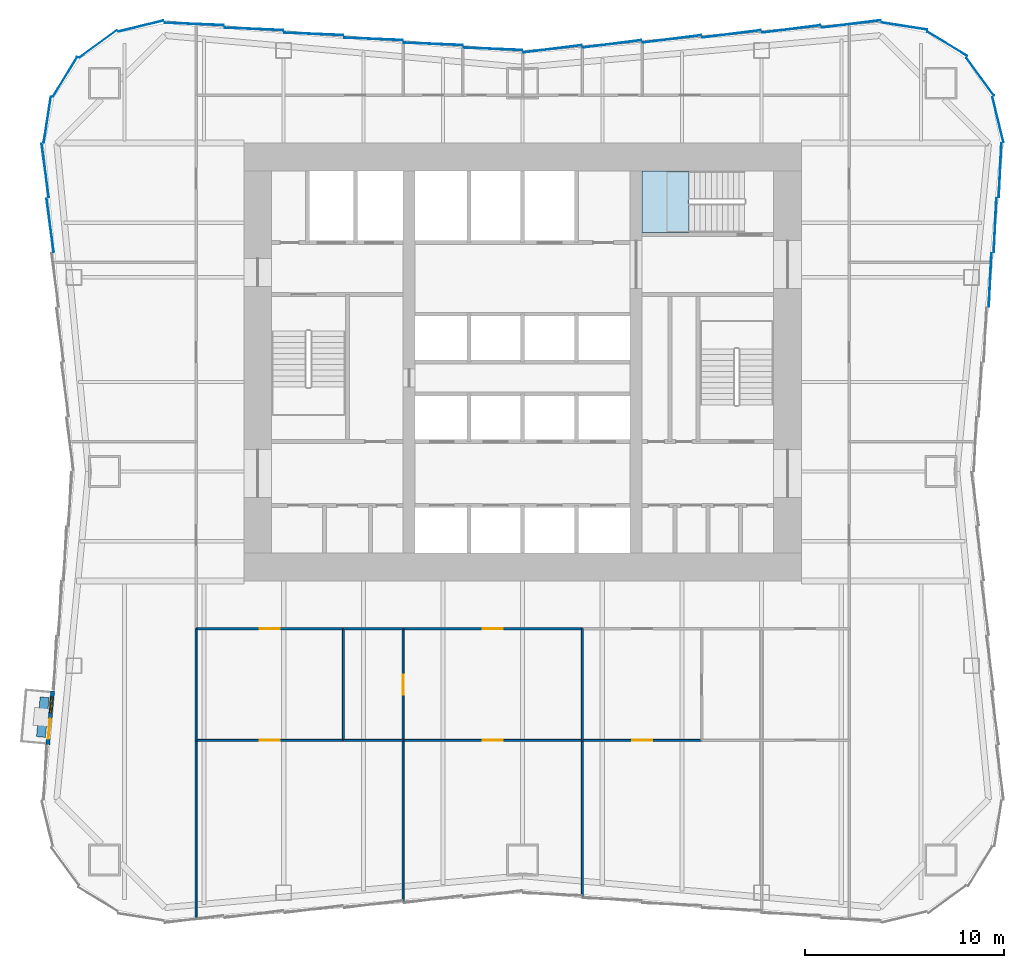
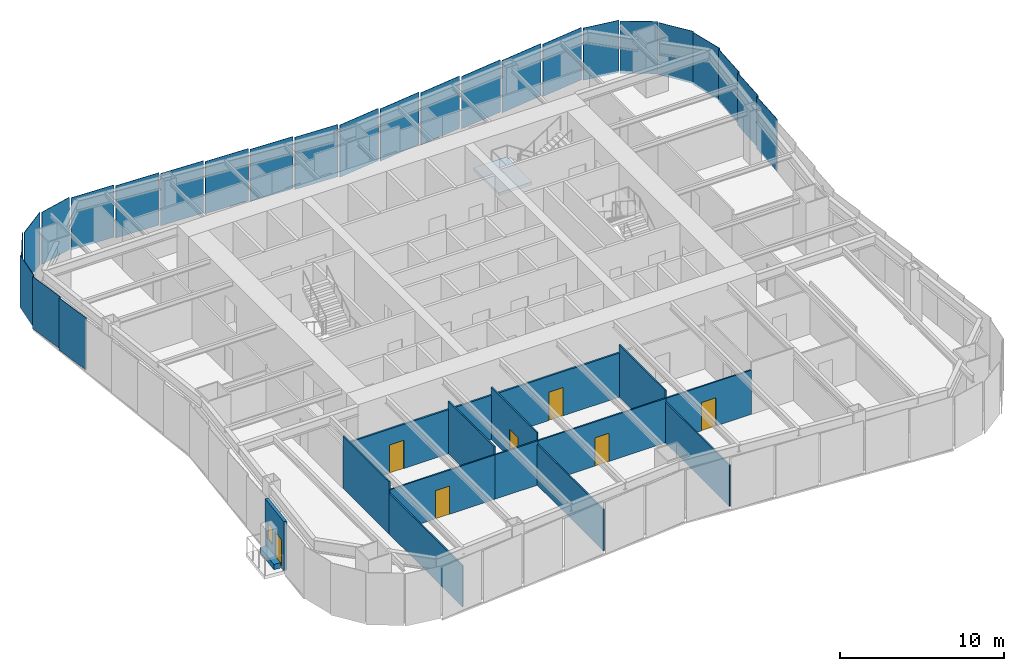
# One storey, part 3 of 8: 25 plates, 16 walls, 7 doors, 1 slab, 1 window, 8 openings, 6 elements without a shape of their own.
"""IFC4 building model written with IfcOpenShell, lengths in metres."""

from ifc_helpers import new_model, si_unit, direction, frame, frame_2d, origin, origin_2d, place, context, subcontext, project, spatial, polyline, rectangle, outline, extrude, material, layer, layer_set, type_object, element, fill, aggregate, save


model = new_model("IFC4")

# Units and contexts
model_context = context("Model", 3, precision=1e-05, world=origin(), true_north=direction((0.0, 1.0)))
body_context = subcontext(model_context, "Body", "Model", "MODEL_VIEW")
ifc_project = project(units=[si_unit("LENGTHUNIT", "METRE"), si_unit("AREAUNIT", "SQUARE_METRE"), si_unit("VOLUMEUNIT", "CUBIC_METRE"), si_unit("PLANEANGLEUNIT", "RADIAN"), si_unit("MASSUNIT", "GRAM", prefix="KILO")], contexts=[model_context])

# Site, building, storey
site_placement = place(None, origin())
site = spatial("IfcSite", under=ifc_project, at=site_placement, CompositionType="ELEMENT")
building_placement = place(site_placement, origin())
building = spatial("IfcBuilding", under=site, at=building_placement, Name="Verdant Reach Tower", CompositionType="ELEMENT")
storey_placement = place(building_placement, frame((0.0, 0.0, 46.0)))
storey = spatial("IfcBuildingStorey", under=building, at=storey_placement, Name="L10", CompositionType="ELEMENT", Elevation=46.0)

# Stair, slab
ifc_material_1 = material(Name="Concrete C40/50", Category="concrete")
stair_type = type_object("IfcStairType", Name="CO-STAIR", PredefinedType="HALF_TURN_STAIR", material=ifc_material_1)
stair_placement = place(storey_placement, origin())
stair = element("IfcStair", 1, at=stair_placement, inside=storey, type_object=stair_type, Name="L10 Exit stair 3", PredefinedType="HALF_TURN_STAIR")
ifc_layer_1 = layer(ifc_material_1, 0.199951171875)
ifc_layer_set_1 = layer_set([ifc_layer_1], Name="CO-STAIR-LANDING")
slab_type = type_object("IfcSlabType", Name="CO-STAIR-LANDING", PredefinedType="LANDING", material=ifc_layer_set_1)
slab_placement = place(storey_placement, frame((0.0, 0.0, 1.800048828125)))
slab = element("IfcSlab", 2, at=slab_placement, type_object=slab_type, Name="ST-3 landing 1", PredefinedType="LANDING", context=body_context, shape_type="SweptSolid", body=[
    extrude(outline(polyline([(8.35009765625, 37.60009765625), (6.0, 37.60009765625), (6.0, 34.5), (8.35009765625, 34.5), (8.35009765625, 37.60009765625)])), origin(), (0.0, 0.0, 1.0), 0.199951171875),
])
aggregate(stair, [slab])

# Curtain wall, plate
ifc_material_2 = material(Name="Anodised aluminium", Category="aluminium")
curtain_wall_type = type_object("IfcCurtainWallType", Name="EN-CW SYSTEM Z0", PredefinedType="NOTDEFINED", material=ifc_material_2)
curtain_wall_1_placement = place(storey_placement, origin())
curtain_wall_1 = element("IfcCurtainWall", 3, at=curtain_wall_1_placement, inside=storey, type_object=curtain_wall_type, Name="Curtain wall north-east corner, L10", PredefinedType="NOTDEFINED")
ifc_material_3 = material(Name="Tinted glass with champagne spandrel", Category="glass")
ifc_layer_2 = layer(ifc_material_3, 0.031982421875)
ifc_layer_set_2 = layer_set([ifc_layer_2], Name="EN-PANEL CHAMPAGNE")
plate_type_1 = type_object("IfcPlateType", Name="EN-PANEL CHAMPAGNE", PredefinedType="CURTAIN_PANEL", material=ifc_layer_set_2)
plate_1_placement = place(storey_placement, frame((23.86767578125, 40.169921875, -0.22998046875), z_axis=(0.0, 0.0, 1.0), x_axis=(-0.236346786246, 0.97166876899, 0.0)))
plate_1 = element("IfcPlate", 4, at=plate_1_placement, type_object=plate_type_1, Name="Glass panel north-east corner 1.1, L10", PredefinedType="CURTAIN_PANEL", context=body_context, shape_type="SweptSolid", body=[
    extrude(rectangle(XDim=2.31884765625, YDim=0.031982421875, at=origin_2d()), origin(), (0.0, 0.0, 1.0), 3.8798828125),
])

# Curtain wall, plates
curtain_wall_2_placement = place(storey_placement, origin())
curtain_wall_2 = element("IfcCurtainWall", 5, at=curtain_wall_2_placement, inside=storey, type_object=curtain_wall_type, Name="Curtain wall north, L10", PredefinedType="NOTDEFINED")
plate_2_placement = place(storey_placement, frame((4.49169921875, 43.974609375, -0.22998046875), z_axis=(0.0, 0.0, 1.0), x_axis=(-0.992194034542, -0.124703639961, 0.0)))
plate_2 = element("IfcPlate", 6, at=plate_2_placement, type_object=plate_type_1, Name="Glass panel north face part 1 5.1, L10", PredefinedType="CURTAIN_PANEL", context=body_context, shape_type="SweptSolid", body=[
    extrude(rectangle(XDim=2.954345703125, YDim=0.031982421875, at=origin_2d()), origin(), (0.0, 0.0, 1.0), 3.8798828125),
])
plate_3_placement = place(storey_placement, frame((1.495849609375, 43.724853515625, -0.22998046875), z_axis=(0.0, 0.0, 1.0), x_axis=(-0.992179679439, -0.124817802047, 0.0)))
plate_3 = element("IfcPlate", 7, at=plate_3_placement, type_object=plate_type_1, Name="Glass panel north face part 1 6.1, L10", PredefinedType="CURTAIN_PANEL", context=body_context, shape_type="SweptSolid", body=[
    extrude(rectangle(XDim=2.946044921875, YDim=0.031982421875, at=origin_2d()), origin(), (0.0, 0.0, 1.0), 3.8798828125),
])
plate_4_placement = place(storey_placement, frame((-1.495849609375, 43.724853515625, -0.22998046875), z_axis=(0.0, 0.0, 1.0), x_axis=(-0.999144450138, 0.041356592674, 0.0)))
plate_4 = element("IfcPlate", 8, at=plate_4_placement, type_object=plate_type_1, Name="Glass panel north face part 2 1.1, L10", PredefinedType="CURTAIN_PANEL", context=body_context, shape_type="SweptSolid", body=[
    extrude(rectangle(XDim=2.946044921875, YDim=0.031982421875, at=origin_2d()), origin(), (0.0, 0.0, 1.0), 3.8798828125),
])

curtain_wall_3_placement = place(storey_placement, origin())
curtain_wall_3 = element("IfcCurtainWall", 9, at=curtain_wall_3_placement, inside=storey, type_object=curtain_wall_type, Name="Curtain wall east, L10", PredefinedType="NOTDEFINED")
ifc_material_4 = material(Name="Tinted glass with copper spandrel", Category="glass")
ifc_layer_3 = layer(ifc_material_4, 0.031982421875)
ifc_layer_set_3 = layer_set([ifc_layer_3], Name="EN-PANEL COPPER")
plate_type_2 = type_object("IfcPlateType", Name="EN-PANEL COPPER", PredefinedType="CURTAIN_PANEL", material=ifc_layer_set_3)
plate_5_placement = place(storey_placement, frame((23.474609375, 32.115966796875, -0.22998046875), z_axis=(0.0, 0.0, 1.0), x_axis=(0.04875265175, 0.998810882473, 0.0)))
plate_5 = element("IfcPlate", 10, at=plate_5_placement, type_object=plate_type_2, Name="Glass panel east face part 2 4.1, L10", PredefinedType="CURTAIN_PANEL", context=body_context, shape_type="SweptSolid", body=[
    extrude(rectangle(XDim=2.705322265625, YDim=0.031982421875, at=origin_2d()), origin(), (0.0, 0.0, 1.0), 3.8798828125),
])
plate_6_placement = place(storey_placement, frame((23.724609375, 34.865966796875, -0.22998046875), z_axis=(0.0, 0.0, 1.0), x_axis=(0.04875265175, 0.998810882473, 0.0)))
plate_6 = element("IfcPlate", 11, at=plate_6_placement, type_object=plate_type_2, Name="Glass panel east face part 2 5.1, L10", PredefinedType="CURTAIN_PANEL", context=body_context, shape_type="SweptSolid", body=[
    extrude(rectangle(XDim=2.705322265625, YDim=0.031982421875, at=origin_2d()), origin(), (0.0, 0.0, 1.0), 3.8798828125),
])

# Plate
plate_7_placement = place(storey_placement, frame((22.974609375, 42.32373046875, -0.22998046875), z_axis=(0.0, 0.0, 1.0), x_axis=(-0.589926778461, 0.807456745624, 0.0)))
plate_7 = element("IfcPlate", 12, at=plate_7_placement, type_object=plate_type_2, Name="Glass panel north-east corner 2.1, L10", PredefinedType="CURTAIN_PANEL", context=body_context, shape_type="SweptSolid", body=[
    extrude(rectangle(XDim=2.32421875, YDim=0.031982421875, at=origin_2d()), origin(), (0.0, 0.0, 1.0), 3.8798828125),
])

plate_8_placement = place(storey_placement, frame((21.32373046875, 43.974609375, -0.22998046875), z_axis=(0.0, 0.0, 1.0), x_axis=(-0.853988681713, 0.520291583159, 0.0)))
plate_8 = element("IfcPlate", 13, at=plate_8_placement, type_object=plate_type_2, Name="Glass panel north-east corner 3.1, L10", PredefinedType="CURTAIN_PANEL", context=body_context, shape_type="SweptSolid", body=[
    extrude(rectangle(XDim=2.32421875, YDim=0.031982421875, at=origin_2d()), origin(), (0.0, 0.0, 1.0), 3.8798828125),
])

plate_9_placement = place(storey_placement, frame((19.169921875, 44.86767578125, -0.22998046875), z_axis=(0.0, 0.0, 1.0), x_axis=(-0.98803452381, 0.154232875093, 0.0)))
plate_9 = element("IfcPlate", 14, at=plate_9_placement, type_object=plate_type_2, Name="Glass panel north-east corner 4.1, L10", PredefinedType="CURTAIN_PANEL", context=body_context, shape_type="SweptSolid", body=[
    extrude(rectangle(XDim=2.318603515625, YDim=0.031982421875, at=origin_2d()), origin(), (0.0, 0.0, 1.0), 3.8798828125),
])

aggregate(curtain_wall_1, [plate_1, plate_7, plate_8, plate_9])

plate_10_placement = place(storey_placement, frame((16.498779296875, 44.974853515625, -0.22998046875), z_axis=(0.0, 0.0, 1.0), x_axis=(-0.992234176789, -0.124383835008, 0.0)))
plate_10 = element("IfcPlate", 15, at=plate_10_placement, type_object=plate_type_2, Name="Glass panel north face part 1 1.1, L10", PredefinedType="CURTAIN_PANEL", context=body_context, shape_type="SweptSolid", body=[
    extrude(rectangle(XDim=2.96826171875, YDim=0.031982421875, at=origin_2d()), origin(), (0.0, 0.0, 1.0), 3.8798828125),
])

plate_11_placement = place(storey_placement, frame((13.49169921875, 44.724609375, -0.22998046875), z_axis=(0.0, 0.0, 1.0), x_axis=(-0.992194034542, -0.124703639961, 0.0)))
plate_11 = element("IfcPlate", 16, at=plate_11_placement, type_object=plate_type_2, Name="Glass panel north face part 1 2.1, L10", PredefinedType="CURTAIN_PANEL", context=body_context, shape_type="SweptSolid", body=[
    extrude(rectangle(XDim=2.954345703125, YDim=0.031982421875, at=origin_2d()), origin(), (0.0, 0.0, 1.0), 3.8798828125),
])

plate_12_placement = place(storey_placement, frame((-4.49169921875, 43.974609375, -0.22998046875), z_axis=(0.0, 0.0, 1.0), x_axis=(-0.999149202059, 0.041241629766, 0.0)))
plate_12 = element("IfcPlate", 17, at=plate_12_placement, type_object=plate_type_2, Name="Glass panel north face part 2 2.1, L10", PredefinedType="CURTAIN_PANEL", context=body_context, shape_type="SweptSolid", body=[
    extrude(rectangle(XDim=2.954345703125, YDim=0.031982421875, at=origin_2d()), origin(), (0.0, 0.0, 1.0), 3.8798828125),
])

plate_13_placement = place(storey_placement, frame((-7.49169921875, 44.224609375, -0.22998046875), z_axis=(0.0, 0.0, 1.0), x_axis=(-0.999149202059, 0.041241629766, 0.0)))
plate_13 = element("IfcPlate", 18, at=plate_13_placement, type_object=plate_type_2, Name="Glass panel north face part 2 3.1, L10", PredefinedType="CURTAIN_PANEL", context=body_context, shape_type="SweptSolid", body=[
    extrude(rectangle(XDim=2.954345703125, YDim=0.031982421875, at=origin_2d()), origin(), (0.0, 0.0, 1.0), 3.8798828125),
])

# Curtain wall, plates
curtain_wall_4_placement = place(storey_placement, origin())
curtain_wall_4 = element("IfcCurtainWall", 19, at=curtain_wall_4_placement, inside=storey, type_object=curtain_wall_type, Name="Curtain wall north-west corner, L10", PredefinedType="NOTDEFINED")
plate_14_placement = place(storey_placement, frame((-19.169921875, 44.86767578125, -0.22998046875), z_axis=(0.0, 0.0, 1.0), x_axis=(-0.97166347331, -0.236368556782, 0.0)))
plate_14 = element("IfcPlate", 20, at=plate_14_placement, type_object=plate_type_2, Name="Glass panel north-west corner 1.1, L10", PredefinedType="CURTAIN_PANEL", context=body_context, shape_type="SweptSolid", body=[
    extrude(rectangle(XDim=2.318603515625, YDim=0.031982421875, at=origin_2d()), origin(), (0.0, 0.0, 1.0), 3.8798828125),
])
plate_15_placement = place(storey_placement, frame((-21.32373046875, 43.974609375, -0.22998046875), z_axis=(0.0, 0.0, 1.0), x_axis=(-0.807456745624, -0.589926778461, 0.0)))
plate_15 = element("IfcPlate", 21, at=plate_15_placement, type_object=plate_type_2, Name="Glass panel north-west corner 2.1, L10", PredefinedType="CURTAIN_PANEL", context=body_context, shape_type="SweptSolid", body=[
    extrude(rectangle(XDim=2.32421875, YDim=0.031982421875, at=origin_2d()), origin(), (0.0, 0.0, 1.0), 3.8798828125),
])

# Plate
ifc_material_5 = material(Name="Tinted glass with dark bronze spandrel", Category="glass")
ifc_layer_4 = layer(ifc_material_5, 0.031982421875)
ifc_layer_set_4 = layer_set([ifc_layer_4], Name="EN-PANEL DARK")
plate_type_3 = type_object("IfcPlateType", Name="EN-PANEL DARK", PredefinedType="CURTAIN_PANEL", material=ifc_layer_set_4)
plate_16_placement = place(storey_placement, frame((23.974609375, 37.623046875, -0.22998046875), z_axis=(0.0, 0.0, 1.0), x_axis=(0.048382779248, 0.998828867561, 0.0)))
plate_16 = element("IfcPlate", 22, at=plate_16_placement, type_object=plate_type_3, Name="Glass panel east face part 2 6.1, L10", PredefinedType="CURTAIN_PANEL", context=body_context, shape_type="SweptSolid", body=[
    extrude(rectangle(XDim=2.7197265625, YDim=0.031982421875, at=origin_2d()), origin(), (0.0, 0.0, 1.0), 3.8798828125),
])

aggregate(curtain_wall_3, [plate_5, plate_6, plate_16])

plate_17_placement = place(storey_placement, frame((10.49169921875, 44.474609375, -0.22998046875), z_axis=(0.0, 0.0, 1.0), x_axis=(-0.992194034542, -0.124703639961, 0.0)))
plate_17 = element("IfcPlate", 23, at=plate_17_placement, type_object=plate_type_3, Name="Glass panel north face part 1 3.1, L10", PredefinedType="CURTAIN_PANEL", context=body_context, shape_type="SweptSolid", body=[
    extrude(rectangle(XDim=2.954345703125, YDim=0.031982421875, at=origin_2d()), origin(), (0.0, 0.0, 1.0), 3.8798828125),
])

plate_18_placement = place(storey_placement, frame((7.49169921875, 44.224609375, -0.22998046875), z_axis=(0.0, 0.0, 1.0), x_axis=(-0.992194034542, -0.124703639961, 0.0)))
plate_18 = element("IfcPlate", 24, at=plate_18_placement, type_object=plate_type_3, Name="Glass panel north face part 1 4.1, L10", PredefinedType="CURTAIN_PANEL", context=body_context, shape_type="SweptSolid", body=[
    extrude(rectangle(XDim=2.954345703125, YDim=0.031982421875, at=origin_2d()), origin(), (0.0, 0.0, 1.0), 3.8798828125),
])

plate_19_placement = place(storey_placement, frame((-10.49169921875, 44.474609375, -0.22998046875), z_axis=(0.0, 0.0, 1.0), x_axis=(-0.999149202059, 0.041241629766, 0.0)))
plate_19 = element("IfcPlate", 25, at=plate_19_placement, type_object=plate_type_3, Name="Glass panel north face part 2 4.1, L10", PredefinedType="CURTAIN_PANEL", context=body_context, shape_type="SweptSolid", body=[
    extrude(rectangle(XDim=2.954345703125, YDim=0.031982421875, at=origin_2d()), origin(), (0.0, 0.0, 1.0), 3.8798828125),
])

plate_20_placement = place(storey_placement, frame((-13.49169921875, 44.724609375, -0.22998046875), z_axis=(0.0, 0.0, 1.0), x_axis=(-0.999149202059, 0.041241629766, 0.0)))
plate_20 = element("IfcPlate", 26, at=plate_20_placement, type_object=plate_type_3, Name="Glass panel north face part 2 5.1, L10", PredefinedType="CURTAIN_PANEL", context=body_context, shape_type="SweptSolid", body=[
    extrude(rectangle(XDim=2.954345703125, YDim=0.031982421875, at=origin_2d()), origin(), (0.0, 0.0, 1.0), 3.8798828125),
])

plate_21_placement = place(storey_placement, frame((-16.498779296875, 44.974853515625, -0.22998046875), z_axis=(0.0, 0.0, 1.0), x_axis=(-0.999162442933, 0.040919587398, 0.0)))
plate_21 = element("IfcPlate", 27, at=plate_21_placement, type_object=plate_type_3, Name="Glass panel north face part 2 6.1, L10", PredefinedType="CURTAIN_PANEL", context=body_context, shape_type="SweptSolid", body=[
    extrude(rectangle(XDim=2.96826171875, YDim=0.031982421875, at=origin_2d()), origin(), (0.0, 0.0, 1.0), 3.8798828125),
])

aggregate(curtain_wall_2, [plate_10, plate_11, plate_17, plate_18, plate_2, plate_3, plate_4, plate_12, plate_13, plate_19, plate_20, plate_21])

plate_22_placement = place(storey_placement, frame((-22.974609375, 42.32373046875, -0.22998046875), z_axis=(0.0, 0.0, 1.0), x_axis=(-0.520291583159, -0.853988681713, 0.0)))
plate_22 = element("IfcPlate", 28, at=plate_22_placement, type_object=plate_type_3, Name="Glass panel north-west corner 3.1, L10", PredefinedType="CURTAIN_PANEL", context=body_context, shape_type="SweptSolid", body=[
    extrude(rectangle(XDim=2.32421875, YDim=0.031982421875, at=origin_2d()), origin(), (0.0, 0.0, 1.0), 3.8798828125),
])

plate_23_placement = place(storey_placement, frame((-23.86767578125, 40.169921875, -0.22998046875), z_axis=(0.0, 0.0, 1.0), x_axis=(-0.154210737778, -0.988037979206, 0.0)))
plate_23 = element("IfcPlate", 29, at=plate_23_placement, type_object=plate_type_3, Name="Glass panel north-west corner 4.1, L10", PredefinedType="CURTAIN_PANEL", context=body_context, shape_type="SweptSolid", body=[
    extrude(rectangle(XDim=2.31884765625, YDim=0.031982421875, at=origin_2d()), origin(), (0.0, 0.0, 1.0), 3.8798828125),
])

aggregate(curtain_wall_4, [plate_14, plate_15, plate_22, plate_23])

# Curtain wall, plates
curtain_wall_5_placement = place(storey_placement, origin())
curtain_wall_5 = element("IfcCurtainWall", 30, at=curtain_wall_5_placement, inside=storey, type_object=curtain_wall_type, Name="Curtain wall west, L10", PredefinedType="NOTDEFINED")
plate_24_placement = place(storey_placement, frame((-23.974609375, 37.623046875, -0.22998046875), z_axis=(0.0, 0.0, 1.0), x_axis=(0.131792939527, -0.991277267514, 0.0)))
plate_24 = element("IfcPlate", 31, at=plate_24_placement, type_object=plate_type_3, Name="Glass panel west face part 1 1.1, L10", PredefinedType="CURTAIN_PANEL", context=body_context, shape_type="SweptSolid", body=[
    extrude(rectangle(XDim=2.7197265625, YDim=0.031982421875, at=origin_2d()), origin(), (0.0, 0.0, 1.0), 3.8798828125),
])
plate_25_placement = place(storey_placement, frame((-23.724609375, 34.865966796875, -0.22998046875), z_axis=(0.0, 0.0, 1.0), x_axis=(0.132160009881, -0.99122839537, 0.0)))
plate_25 = element("IfcPlate", 32, at=plate_25_placement, type_object=plate_type_3, Name="Glass panel west face part 1 2.1, L10", PredefinedType="CURTAIN_PANEL", context=body_context, shape_type="SweptSolid", body=[
    extrude(rectangle(XDim=2.705322265625, YDim=0.031982421875, at=origin_2d()), origin(), (0.0, 0.0, 1.0), 3.8798828125),
])
aggregate(curtain_wall_5, [plate_24, plate_25])

# Wall, openings, door, window
ifc_material_6 = material(Name="Insulated bronze aluminium panel wall", Category="aluminium")
ifc_layer_5 = layer(ifc_material_6, 0.219970703125)
ifc_layer_set_5 = layer_set([ifc_layer_5], Name="EN-INFILL WALL")
wall_type_1 = type_object("IfcWallType", Name="EN-INFILL WALL", PredefinedType="SOLIDWALL", material=ifc_layer_set_5)
wall_1_placement = place(storey_placement, frame((-23.602294921875, 11.479248046875, 0.0), z_axis=(0.0, 0.0, 1.0), x_axis=(-0.090552042494, -0.995891724838, 0.0)))
wall_1 = element("IfcWall", 33, at=wall_1_placement, inside=storey, type_object=wall_type_1, Name="External infill wall, balcony bay 1, L10", PredefinedType="SOLIDWALL", context=body_context, shape_type="SweptSolid", body=[
    extrude(rectangle(XDim=2.701416015625, YDim=0.199951171875, at=frame_2d((1.3505859375, 0.0))), origin(), (0.0, 0.0, 1.0), 3.64990234375),
])
opening_1_placement = place(wall_1_placement, frame((1.40087890625, 0.0, 0.0)))
opening_1 = element("IfcOpeningElement", 34, at=opening_1_placement, cuts=wall_1, Name="Opening BD1", PredefinedType="OPENING", context=body_context, shape_type="SweptSolid", body=[
    extrude(rectangle(XDim=1.0, YDim=2.10009765625, at=frame_2d((0.5, 1.050048828125))), frame((0.0, 0.10986328125, 0.0), z_axis=(0.0, -1.0, 0.0), x_axis=(1.0, 0.0, 0.0)), (0.0, 0.0, 1.0), 0.219970703125),
])
opening_2_placement = place(wall_1_placement, frame((0.30029296875, 0.0, 0.89990234375)))
opening_2 = element("IfcOpeningElement", 35, at=opening_2_placement, cuts=wall_1, Name="Opening BW1", PredefinedType="OPENING", context=body_context, shape_type="SweptSolid", body=[
    extrude(rectangle(XDim=0.800048828125, YDim=1.199951171875, at=frame_2d((0.39990234375, 0.60009765625))), frame((0.0, 0.10986328125, 0.0), z_axis=(0.0, -1.0, 0.0), x_axis=(1.0, 0.0, 0.0)), (0.0, 0.0, 1.0), 0.219970703125),
])
ifc_material_7 = material(Name="Aluminium framed glazed door", Category="aluminium")
door_type_1 = type_object("IfcDoorType", Name="EN-DOOR BALCONY", OperationType="NOTDEFINED", PredefinedType="DOOR", material=ifc_material_7)
door_1_placement = place(opening_1_placement, origin())
door_1 = element("IfcDoor", 36, at=door_1_placement, inside=storey, type_object=door_type_1, Name="Balcony door 1, L10", OperationType="SINGLE_SWING_RIGHT", OverallHeight=2.10009765625, OverallWidth=1.0, PredefinedType="DOOR", context=body_context, shape_type="SweptSolid", body=[
    extrude(rectangle(XDim=1.0, YDim=2.10009765625, at=frame_2d((0.5, 1.050048828125))), frame((0.0, 0.02490234375, 0.0), z_axis=(0.0, -1.0, 0.0), x_axis=(1.0, 0.0, 0.0)), (0.0, 0.0, 1.0), 0.050048828125),
])
fill(opening_1, door_1)
ifc_material_8 = material(Name="Aluminium framed glazing", Category="aluminium")
window_type = type_object("IfcWindowType", Name="EN-WINDOW BALCONY", PartitioningType="SINGLE_PANEL", PredefinedType="WINDOW", material=ifc_material_8)
window_placement = place(opening_2_placement, origin())
window = element("IfcWindow", 37, at=window_placement, inside=storey, type_object=window_type, Name="Balcony window 1, L10", OverallHeight=1.199951171875, OverallWidth=0.800048828125, PartitioningType="SINGLE_PANEL", PredefinedType="WINDOW", context=body_context, shape_type="SweptSolid", body=[
    extrude(rectangle(XDim=0.800048828125, YDim=1.199951171875, at=frame_2d((0.39990234375, 0.60009765625))), frame((0.0, 0.030029296875, 0.0), z_axis=(0.0, -1.0, 0.0), x_axis=(1.0, 0.0, 0.0)), (0.0, 0.0, 1.0), 0.06005859375),
])
fill(opening_2, window)

# Walls
ifc_material_9 = material(Name="Precast concrete C30/37", Category="concrete")
ifc_layer_6 = layer(ifc_material_9, 0.449951171875)
ifc_layer_set_6 = layer_set([ifc_layer_6], Name="EN-PLANTER")
wall_type_2 = type_object("IfcWallType", Name="EN-PLANTER", PredefinedType="USERDEFINED", material=ifc_layer_set_6)
wall_2_placement = place(storey_placement, frame((-24.007568359375, 11.16455078125, 0.0), z_axis=(0.0, 0.0, 1.0), x_axis=(-0.090513748512, -0.995895205998, 0.0)))
element("IfcWall", 38, at=wall_2_placement, inside=storey, type_object=wall_type_2, Name="Balcony planter 1, L10", ObjectType="PLANTER", PredefinedType="USERDEFINED", context=body_context, shape_type="SweptSolid", body=[
    extrude(rectangle(XDim=2.00146484375, YDim=0.449951171875, at=frame_2d((1.000732421875, 0.0))), origin(), (0.0, 0.0, 1.0), 0.39990234375),
])
ifc_material_10 = material(Name="Gypsum board on steel studs", Category="steel")
ifc_layer_7 = layer(ifc_material_10, 0.10009765625)
ifc_layer_set_7 = layer_set([ifc_layer_7], Name="FL-W1 Partition 100")
wall_type_3 = type_object("IfcWallType", Name="FL-W1 Partition 100", PredefinedType="PARTITIONING", material=ifc_layer_set_7)
wall_3_placement = place(storey_placement, frame((-9.0, 9.0, 0.0), z_axis=(0.0, 0.0, 1.0), x_axis=(0.0, 1.0, 0.0)))
element("IfcWall", 39, at=wall_3_placement, inside=storey, type_object=wall_type_3, Name="Partition 10.19", PredefinedType="PARTITIONING", context=body_context, shape_type="SweptSolid", body=[
    extrude(rectangle(XDim=5.60009765625, YDim=0.10009765625, at=frame_2d((2.800048828125, 0.0))), origin(), (0.0, 0.0, 1.0), 3.8701171875),
])

# Wall, opening, door
wall_4_placement = place(storey_placement, frame((-8.99609375, 9.0, 0.0), z_axis=(0.0, 0.0, 1.0), x_axis=(-1.0, 0.0, 0.0)))
wall_4 = element("IfcWall", 40, at=wall_4_placement, inside=storey, type_object=wall_type_3, Name="Partition 10.20", PredefinedType="PARTITIONING", context=body_context, shape_type="SweptSolid", body=[
    extrude(rectangle(XDim=7.40380859375, YDim=0.10009765625, at=frame_2d((3.701904296875, 0.0))), origin(), (0.0, 0.0, 1.0), 3.2900390625),
])
opening_3_placement = place(wall_4_placement, frame((3.201904296875, 0.0, 0.0)))
opening_3 = element("IfcOpeningElement", 41, at=opening_3_placement, cuts=wall_4, Name="Opening D3", PredefinedType="OPENING", context=body_context, shape_type="SweptSolid", body=[
    extrude(rectangle(XDim=1.0, YDim=2.10009765625, at=frame_2d((0.5, 1.050048828125))), frame((0.0, 0.06005859375, 0.0), z_axis=(0.0, -1.0, 0.0), x_axis=(1.0, 0.0, 0.0)), (0.0, 0.0, 1.0), 0.1201171875),
])
ifc_material_11 = material(Name="Painted timber door leaf", Category="wood")
door_type_2 = type_object("IfcDoorType", Name="FL-D3 Door 1000x2100", OperationType="NOTDEFINED", PredefinedType="DOOR", material=ifc_material_11)
door_2_placement = place(opening_3_placement, origin())
door_2 = element("IfcDoor", 42, at=door_2_placement, inside=storey, type_object=door_type_2, Name="Door 10-017", OperationType="SINGLE_SWING_LEFT", OverallHeight=2.10009765625, OverallWidth=1.0, PredefinedType="DOOR", context=body_context, shape_type="SweptSolid", body=[
    extrude(rectangle(XDim=1.0, YDim=2.10009765625, at=frame_2d((0.5, 1.050048828125))), frame((0.0, 0.02490234375, 0.0), z_axis=(0.0, -1.0, 0.0), x_axis=(1.0, 0.0, 0.0)), (0.0, 0.0, 1.0), 0.050048828125),
])
fill(opening_3, door_2)

# Wall
wall_5_placement = place(storey_placement, frame((-16.39990234375, 14.60400390625, 0.0), z_axis=(0.0, 0.0, 1.0), x_axis=(0.0, -1.0, 0.0)))
element("IfcWall", 43, at=wall_5_placement, inside=storey, type_object=wall_type_3, Name="Partition 10.21", PredefinedType="PARTITIONING", context=body_context, shape_type="SweptSolid", body=[
    extrude(rectangle(XDim=5.60791015625, YDim=0.10009765625, at=frame_2d((2.803955078125, 0.0))), origin(), (0.0, 0.0, 1.0), 3.8701171875),
])

# Wall, opening, door
wall_6_placement = place(storey_placement, frame((-6.0, 9.0, 0.0), z_axis=(0.0, 0.0, 1.0), x_axis=(0.0, 1.0, 0.0)))
wall_6 = element("IfcWall", 44, at=wall_6_placement, inside=storey, type_object=wall_type_3, Name="Partition 10.22", PredefinedType="PARTITIONING", context=body_context, shape_type="SweptSolid", body=[
    extrude(rectangle(XDim=5.60009765625, YDim=0.10009765625, at=frame_2d((2.800048828125, 0.0))), origin(), (0.0, 0.0, 1.0), 3.8701171875),
])
opening_4_placement = place(wall_6_placement, frame((2.300048828125, 0.0, 0.0)))
opening_4 = element("IfcOpeningElement", 45, at=opening_4_placement, cuts=wall_6, Name="Opening D3", PredefinedType="OPENING", context=body_context, shape_type="SweptSolid", body=[
    extrude(rectangle(XDim=1.0, YDim=2.10009765625, at=frame_2d((0.5, 1.050048828125))), frame((0.0, 0.06005859375, 0.0), z_axis=(0.0, -1.0, 0.0), x_axis=(1.0, 0.0, 0.0)), (0.0, 0.0, 1.0), 0.1201171875),
])
door_3_placement = place(opening_4_placement, origin())
door_3 = element("IfcDoor", 46, at=door_3_placement, inside=storey, type_object=door_type_2, Name="Door 10-018", OperationType="SINGLE_SWING_RIGHT", OverallHeight=2.10009765625, OverallWidth=1.0, PredefinedType="DOOR", context=body_context, shape_type="SweptSolid", body=[
    extrude(rectangle(XDim=1.0, YDim=2.10009765625, at=frame_2d((0.5, 1.050048828125))), frame((0.0, 0.02490234375, 0.0), z_axis=(0.0, -1.0, 0.0), x_axis=(1.0, 0.0, 0.0)), (0.0, 0.0, 1.0), 0.050048828125),
])
fill(opening_4, door_3)

# Wall
wall_7_placement = place(storey_placement, frame((-9.00390625, 9.0, 0.0), z_axis=(0.0, 0.0, 1.0), x_axis=(1.0, 0.0, 0.0)))
element("IfcWall", 47, at=wall_7_placement, inside=storey, type_object=wall_type_3, Name="Partition 10.23", PredefinedType="PARTITIONING", context=body_context, shape_type="SweptSolid", body=[
    extrude(rectangle(XDim=3.00390625, YDim=0.10009765625, at=frame_2d((1.501953125, 0.0))), origin(), (0.0, 0.0, 1.0), 3.2900390625),
])

# Wall, opening, door
wall_8_placement = place(storey_placement, frame((3.0, 9.0, 0.0), z_axis=(0.0, 0.0, 1.0), x_axis=(-1.0, 0.0, 0.0)))
wall_8 = element("IfcWall", 48, at=wall_8_placement, inside=storey, type_object=wall_type_3, Name="Partition 10.24", PredefinedType="PARTITIONING", context=body_context, shape_type="SweptSolid", body=[
    extrude(rectangle(XDim=9.0, YDim=0.10009765625, at=frame_2d((4.5, 0.0))), origin(), (0.0, 0.0, 1.0), 3.2900390625),
])
opening_5_placement = place(wall_8_placement, frame((4.0, 0.0, 0.0)))
opening_5 = element("IfcOpeningElement", 49, at=opening_5_placement, cuts=wall_8, Name="Opening D3", PredefinedType="OPENING", context=body_context, shape_type="SweptSolid", body=[
    extrude(rectangle(XDim=1.0, YDim=2.10009765625, at=frame_2d((0.5, 1.050048828125))), frame((0.0, 0.06005859375, 0.0), z_axis=(0.0, -1.0, 0.0), x_axis=(1.0, 0.0, 0.0)), (0.0, 0.0, 1.0), 0.1201171875),
])
door_4_placement = place(opening_5_placement, origin())
door_4 = element("IfcDoor", 50, at=door_4_placement, inside=storey, type_object=door_type_2, Name="Door 10-019", OperationType="SINGLE_SWING_LEFT", OverallHeight=2.10009765625, OverallWidth=1.0, PredefinedType="DOOR", context=body_context, shape_type="SweptSolid", body=[
    extrude(rectangle(XDim=1.0, YDim=2.10009765625, at=frame_2d((0.5, 1.050048828125))), frame((0.0, 0.02490234375, 0.0), z_axis=(0.0, -1.0, 0.0), x_axis=(1.0, 0.0, 0.0)), (0.0, 0.0, 1.0), 0.050048828125),
])
fill(opening_5, door_4)

# Walls
wall_9_placement = place(storey_placement, frame((3.0, 9.0, 0.0), z_axis=(0.0, 0.0, 1.0), x_axis=(0.0, 1.0, 0.0)))
element("IfcWall", 51, at=wall_9_placement, inside=storey, type_object=wall_type_3, Name="Partition 10.25", PredefinedType="PARTITIONING", context=body_context, shape_type="SweptSolid", body=[
    extrude(rectangle(XDim=5.60009765625, YDim=0.10009765625, at=frame_2d((2.800048828125, 0.0))), origin(), (0.0, 0.0, 1.0), 3.8701171875),
])
wall_10_placement = place(storey_placement, frame((-6.0, 0.919921875, 0.0), z_axis=(0.0, 0.0, 1.0), x_axis=(0.0, 1.0, 0.0)))
element("IfcWall", 52, at=wall_10_placement, inside=storey, type_object=wall_type_3, Name="Partition 10.26", PredefinedType="PARTITIONING", context=body_context, shape_type="SweptSolid", body=[
    extrude(rectangle(XDim=8.080078125, YDim=0.10009765625, at=frame_2d((4.0400390625, 0.0))), origin(), (0.0, 0.0, 1.0), 3.0400390625),
])
wall_11_placement = place(storey_placement, frame((-16.39990234375, 9.00390625, 0.0), z_axis=(0.0, 0.0, 1.0), x_axis=(0.0, -1.0, 0.0)))
element("IfcWall", 53, at=wall_11_placement, inside=storey, type_object=wall_type_3, Name="Partition 10.27", PredefinedType="PARTITIONING", context=body_context, shape_type="SweptSolid", body=[
    extrude(rectangle(XDim=8.95068359375, YDim=0.10009765625, at=frame_2d((4.475341796875, 0.0))), origin(), (0.0, 0.0, 1.0), 3.0400390625),
])
wall_12_placement = place(storey_placement, frame((3.0, 1.169921875, 0.0), z_axis=(0.0, 0.0, 1.0), x_axis=(0.0, 1.0, 0.0)))
element("IfcWall", 54, at=wall_12_placement, inside=storey, type_object=wall_type_3, Name="Partition 10.28", PredefinedType="PARTITIONING", context=body_context, shape_type="SweptSolid", body=[
    extrude(rectangle(XDim=7.830078125, YDim=0.10009765625, at=frame_2d((3.9150390625, 0.0))), origin(), (0.0, 0.0, 1.0), 3.0400390625),
])

# Wall, opening, door
wall_13_placement = place(storey_placement, frame((9.00390625, 9.0, 0.0), z_axis=(0.0, 0.0, 1.0), x_axis=(-1.0, 0.0, 0.0)))
wall_13 = element("IfcWall", 55, at=wall_13_placement, inside=storey, type_object=wall_type_3, Name="Partition 10.30", PredefinedType="PARTITIONING", context=body_context, shape_type="SweptSolid", body=[
    extrude(rectangle(XDim=6.00390625, YDim=0.10009765625, at=frame_2d((3.001953125, 0.0))), origin(), (0.0, 0.0, 1.0), 3.2900390625),
])
opening_6_placement = place(wall_13_placement, frame((2.501953125, 0.0, 0.0)))
opening_6 = element("IfcOpeningElement", 56, at=opening_6_placement, cuts=wall_13, Name="Opening D3", PredefinedType="OPENING", context=body_context, shape_type="SweptSolid", body=[
    extrude(rectangle(XDim=1.0, YDim=2.10009765625, at=frame_2d((0.5, 1.050048828125))), frame((0.0, 0.06005859375, 0.0), z_axis=(0.0, -1.0, 0.0), x_axis=(1.0, 0.0, 0.0)), (0.0, 0.0, 1.0), 0.1201171875),
])
door_5_placement = place(opening_6_placement, origin())
door_5 = element("IfcDoor", 57, at=door_5_placement, inside=storey, type_object=door_type_2, Name="Door 10-021", OperationType="SINGLE_SWING_LEFT", OverallHeight=2.10009765625, OverallWidth=1.0, PredefinedType="DOOR", context=body_context, shape_type="SweptSolid", body=[
    extrude(rectangle(XDim=1.0, YDim=2.10009765625, at=frame_2d((0.5, 1.050048828125))), frame((0.0, 0.02490234375, 0.0), z_axis=(0.0, -1.0, 0.0), x_axis=(1.0, 0.0, 0.0)), (0.0, 0.0, 1.0), 0.050048828125),
])
fill(opening_6, door_5)

ifc_material_12 = material(Name="Gypsum board on steel studs, fire rated", Category="steel")
ifc_layer_8 = layer(ifc_material_12, 0.125)
ifc_layer_set_8 = layer_set([ifc_layer_8], Name="FL-W2 Corridor wall 125")
wall_type_4 = type_object("IfcWallType", Name="FL-W2 Corridor wall 125", PredefinedType="PARTITIONING", material=ifc_layer_set_8)
wall_14_placement = place(storey_placement, frame((-9.0, 14.60009765625, 0.0), z_axis=(0.0, 0.0, 1.0), x_axis=(-1.0, 0.0, 0.0)))
wall_14 = element("IfcWall", 58, at=wall_14_placement, inside=storey, type_object=wall_type_4, Name="Partition 10.01", PredefinedType="PARTITIONING", context=body_context, shape_type="SweptSolid", body=[
    extrude(rectangle(XDim=7.39990234375, YDim=0.125, at=frame_2d((3.699951171875, 0.0))), origin(), (0.0, 0.0, 1.0), 3.2900390625),
])
opening_7_placement = place(wall_14_placement, frame((3.199951171875, 0.0, 0.0)))
opening_7 = element("IfcOpeningElement", 59, at=opening_7_placement, cuts=wall_14, Name="Opening D2", PredefinedType="OPENING", context=body_context, shape_type="SweptSolid", body=[
    extrude(rectangle(XDim=1.0, YDim=2.10009765625, at=frame_2d((0.5, 1.050048828125))), frame((0.0, 0.072509765625, 0.0), z_axis=(0.0, -1.0, 0.0), x_axis=(1.0, 0.0, 0.0)), (0.0, 0.0, 1.0), 0.14501953125),
])
ifc_material_13 = material(Name="Timber door leaf, fire rated", Category="wood")
door_type_3 = type_object("IfcDoorType", Name="FL-D2 Entrance door 1000x2100 FD30", OperationType="NOTDEFINED", PredefinedType="DOOR", material=ifc_material_13)
door_6_placement = place(opening_7_placement, origin())
door_6 = element("IfcDoor", 60, at=door_6_placement, inside=storey, type_object=door_type_3, Name="Door 10-001", OperationType="SINGLE_SWING_LEFT", OverallHeight=2.10009765625, OverallWidth=1.0, PredefinedType="DOOR", context=body_context, shape_type="SweptSolid", body=[
    extrude(rectangle(XDim=1.0, YDim=2.10009765625, at=frame_2d((0.5, 1.050048828125))), frame((0.0, 0.02490234375, 0.0), z_axis=(0.0, -1.0, 0.0), x_axis=(1.0, 0.0, 0.0)), (0.0, 0.0, 1.0), 0.050048828125),
])
fill(opening_7, door_6)

# Wall
wall_15_placement = place(storey_placement, frame((-9.0, 14.60009765625, 0.0), z_axis=(0.0, 0.0, 1.0), x_axis=(1.0, 0.0, 0.0)))
element("IfcWall", 61, at=wall_15_placement, inside=storey, type_object=wall_type_4, Name="Partition 10.02", PredefinedType="PARTITIONING", context=body_context, shape_type="SweptSolid", body=[
    extrude(rectangle(XDim=3.0, YDim=0.125, at=frame_2d((1.5, 0.0))), origin(), (0.0, 0.0, 1.0), 3.2900390625),
])

# Wall, opening, door
wall_16_placement = place(storey_placement, frame((3.0, 14.60009765625, 0.0), z_axis=(0.0, 0.0, 1.0), x_axis=(-1.0, 0.0, 0.0)))
wall_16 = element("IfcWall", 62, at=wall_16_placement, inside=storey, type_object=wall_type_4, Name="Partition 10.03", PredefinedType="PARTITIONING", context=body_context, shape_type="SweptSolid", body=[
    extrude(rectangle(XDim=9.0, YDim=0.125, at=frame_2d((4.5, 0.0))), origin(), (0.0, 0.0, 1.0), 3.2900390625),
])
opening_8_placement = place(wall_16_placement, frame((4.0, 0.0, 0.0)))
opening_8 = element("IfcOpeningElement", 63, at=opening_8_placement, cuts=wall_16, Name="Opening D2", PredefinedType="OPENING", context=body_context, shape_type="SweptSolid", body=[
    extrude(rectangle(XDim=1.0, YDim=2.10009765625, at=frame_2d((0.5, 1.050048828125))), frame((0.0, 0.072509765625, 0.0), z_axis=(0.0, -1.0, 0.0), x_axis=(1.0, 0.0, 0.0)), (0.0, 0.0, 1.0), 0.14501953125),
])
door_7_placement = place(opening_8_placement, origin())
door_7 = element("IfcDoor", 64, at=door_7_placement, inside=storey, type_object=door_type_3, Name="Door 10-002", OperationType="SINGLE_SWING_RIGHT", OverallHeight=2.10009765625, OverallWidth=1.0, PredefinedType="DOOR", context=body_context, shape_type="SweptSolid", body=[
    extrude(rectangle(XDim=1.0, YDim=2.10009765625, at=frame_2d((0.5, 1.050048828125))), frame((0.0, 0.02490234375, 0.0), z_axis=(0.0, -1.0, 0.0), x_axis=(1.0, 0.0, 0.0)), (0.0, 0.0, 1.0), 0.050048828125),
])
fill(opening_8, door_7)

save(model, "model.ifc")
